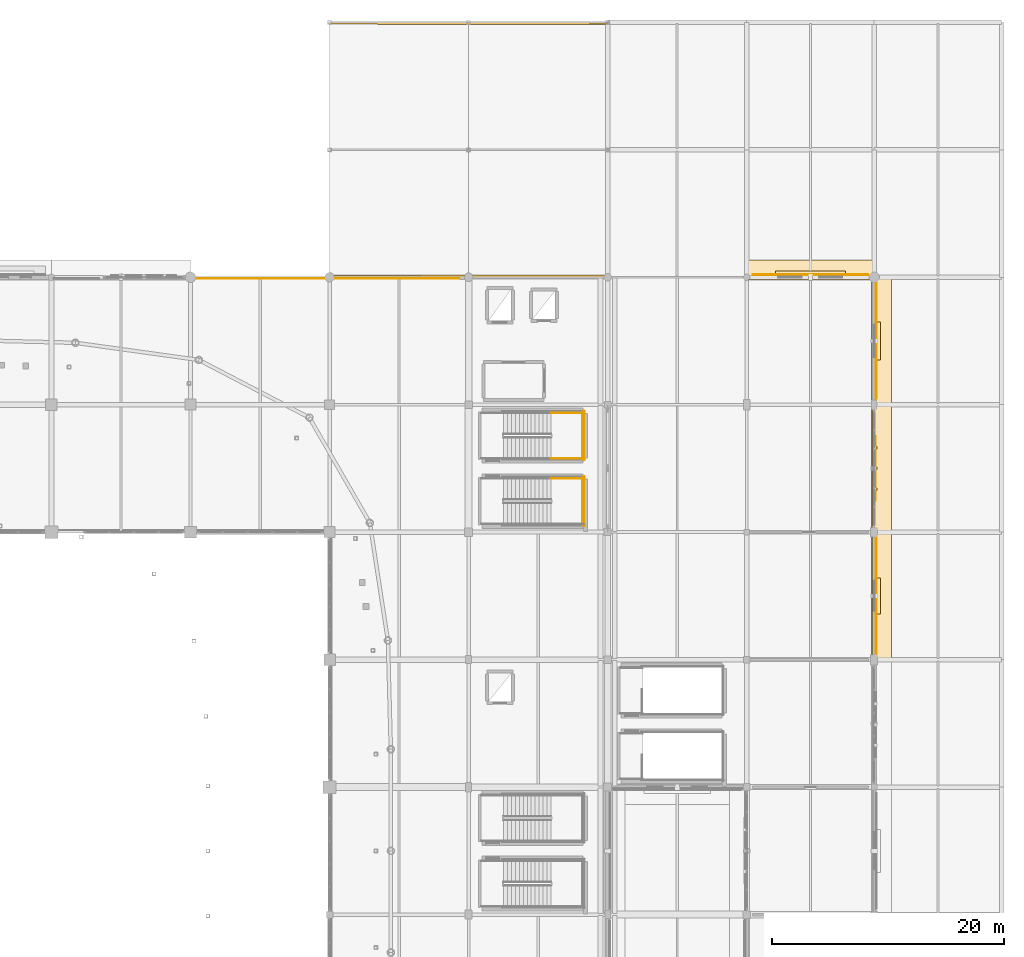
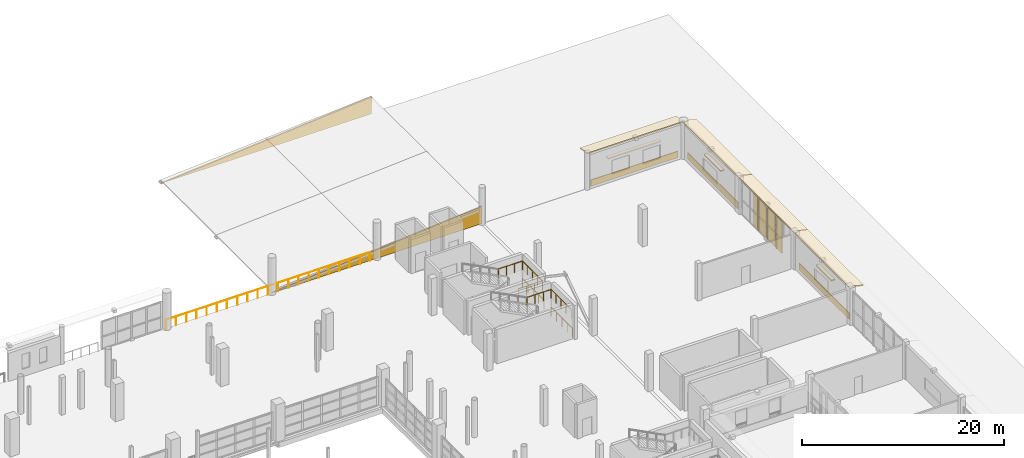
# One storey, part 118 of 118: 15 coverings, 8 railings, 1 shading device.
"""IFC4 building model written with IfcOpenShell, lengths in metres."""

from ifc_helpers import new_model, si_unit, direction, frame, origin, origin_2d, place, context, subcontext, project, spatial, polyline, rectangle, circle, outline, extrude, material, layer, layer_set, type_object, element, save


model = new_model("IFC4")

# Units and contexts
model_context = context("Model", 3, precision=1e-05, world=origin(), true_north=direction((0.0, 1.0)))
body_context = subcontext(model_context, "Body", "Model", "MODEL_VIEW")
ifc_project = project(units=[si_unit("LENGTHUNIT", "METRE"), si_unit("AREAUNIT", "SQUARE_METRE"), si_unit("VOLUMEUNIT", "CUBIC_METRE"), si_unit("PLANEANGLEUNIT", "RADIAN"), si_unit("MASSUNIT", "GRAM", prefix="KILO")], contexts=[model_context])

# Site, building, storey
site_placement = place(None, origin())
site = spatial("IfcSite", under=ifc_project, at=site_placement, CompositionType="ELEMENT")
building_placement = place(site_placement, origin())
building = spatial("IfcBuilding", under=site, at=building_placement, Name="Luwafu Chhajja Arena", CompositionType="ELEMENT")
storey_placement = place(building_placement, frame((0.0, 0.0, 10.199951171875)))
storey = spatial("IfcBuildingStorey", under=building, at=storey_placement, Name="L02", CompositionType="ELEMENT", Elevation=10.199951171875)

# Coverings
ifc_material_1 = material(Name="Red laterite sandstone cladding", Category="masonry")
ifc_layer_1 = layer(ifc_material_1, 0.074951171875, Name="Red laterite sandstone cladding")
ifc_layer_set_1 = layer_set([ifc_layer_1], Name="Red laterite sandstone cladding")
covering_type = type_object("IfcCoveringType", Name="Dressed Red-Laterite Sandstone Cladding", PredefinedType="CLADDING", material=ifc_layer_set_1)
covering_1_placement = place(storey_placement, frame((140.0, 99.0, 0.0), z_axis=(0.0, -0.99980932877, 0.019527060845), x_axis=(1.0, 0.0, 0.0)))
element("IfcCovering", 1, at=covering_1_placement, inside=storey, type_object=covering_type, Name="L02 Charbagh E Cloister S Tympanum", PredefinedType="CLADDING", context=body_context, shape_type="SweptSolid", body=[
    extrude(outline(polyline([(0.0, 0.0), (24.0, 0.0), (24.0, 2.050439788002214), (0.0, 0.0)])), origin(), (0.0, 0.0, -1.0), 0.159912109375),
])
covering_2_placement = place(storey_placement, frame((140.0, 121.0, 0.0), z_axis=(0.0, 0.99980932877, 0.019527060845), x_axis=(1.0, 0.0, 0.0)))
element("IfcCovering", 2, at=covering_2_placement, inside=storey, type_object=covering_type, Name="L02 Charbagh E Cloister N Tympanum", PredefinedType="CLADDING", context=body_context, shape_type="SweptSolid", body=[
    extrude(outline(polyline([(0.0, 0.0), (24.0, 0.0), (24.0, -2.050439788002214), (0.0, 0.0)])), origin(), (0.0, 0.0, -1.0), 0.159912109375),
])
covering_3_placement = place(storey_placement, frame((186.800048828125, 66.0, 4.4599609375), z_axis=(0.242502450825, 0.0, 0.970150793096), x_axis=(0.0, 1.0, 0.0)))
element("IfcCovering", 3, at=covering_3_placement, inside=storey, type_object=covering_type, Name="L02 Continuous Sloped Sandstone Chhajja Eave 0176", PredefinedType="CLADDING", context=body_context, shape_type="SweptSolid", body=[
    extrude(outline(polyline([(0.0, 0.0), (11.0, 0.0), (11.0, -1.731619097341133), (0.0, -1.731619097341133), (0.0, 0.0)])), origin(), (0.0, 0.0, -1.0), 0.1298828125),
])
covering_4_placement = place(storey_placement, frame((187.19189453125, 71.5, 0.0), z_axis=(0.0, 0.0, 1.0), x_axis=(0.0, 1.0, 0.0)))
element("IfcCovering", 4, at=covering_4_placement, inside=storey, type_object=covering_type, Name="L02 Red-Laterite Sandstone Plinth Cladding 071", PredefinedType="CLADDING", context=body_context, shape_type="SweptSolid", body=[
    extrude(rectangle(XDim=9.9599609375, YDim=0.0849609375, at=origin_2d()), origin(), (0.0, 0.0, 1.0), 0.760009765625),
])
covering_5_placement = place(storey_placement, frame((187.320068359375, 71.5, 2.5302734375), z_axis=(0.0, 0.0, 1.0), x_axis=(0.0, 1.0, 0.0)))
element("IfcCovering", 5, at=covering_5_placement, inside=storey, type_object=covering_type, Name="L02 Mughal Sandstone Window Chhajja Hood 0067", PredefinedType="CLADDING", context=body_context, shape_type="SweptSolid", body=[
    extrude(rectangle(XDim=3.10009765625, YDim=0.419921875, at=origin_2d()), origin(), (0.0, 0.0, 1.0), 0.139892578125),
])
covering_6_placement = place(storey_placement, frame((186.800048828125, 77.0, 4.4599609375), z_axis=(0.242502450825, 0.0, 0.970150793096), x_axis=(0.0, 1.0, 0.0)))
element("IfcCovering", 6, at=covering_6_placement, inside=storey, type_object=covering_type, Name="L02 Continuous Sloped Sandstone Chhajja Eave 0177", PredefinedType="CLADDING", context=body_context, shape_type="SweptSolid", body=[
    extrude(outline(polyline([(0.0, 0.0), (11.0, 0.0), (11.0, -1.731619097341133), (0.0, -1.731619097341133), (0.0, 0.0)])), origin(), (0.0, 0.0, -1.0), 0.1298828125),
])
for number, where, z_axis, x_axis, name in (
    (7, (187.110107421875, 80.7080078125, 0.0), (0.0, 0.0, 1.0), (0.0, 1.0, 0.0), "L02 Sandstone Jali Mullion Fin 046"),
    (8, (187.110107421875, 82.5, 0.0), (0.0, 0.0, 1.0), (0.0, 1.0, 0.0), "L02 Sandstone Jali Mullion Fin 046"),
    (9, (187.110107421875, 84.2919921875, 0.0), (0.0, 0.0, 1.0), (0.0, 1.0, 0.0), "L02 Sandstone Jali Mullion Fin 046"),
):
    element("IfcCovering", number, at=place(storey_placement, frame(where, z_axis=z_axis, x_axis=x_axis)), inside=storey, type_object=covering_type, Name=name, PredefinedType="CLADDING", context=body_context, shape_type="SweptSolid", body=[
        extrude(rectangle(XDim=0.219970703125, YDim=0.239990234375, at=origin_2d()), origin(), (0.0, 0.0, 1.0), 3.89501953125),
    ])
covering_7_placement = place(storey_placement, frame((176.0, 98.800048828125, 4.4599609375), z_axis=(0.0, 0.242502450825, 0.970150793096), x_axis=(1.0, 0.0, 0.0)))
element("IfcCovering", 10, at=covering_7_placement, inside=storey, type_object=covering_type, Name="L02 Continuous Sloped Sandstone Chhajja Eave 0178", PredefinedType="CLADDING", context=body_context, shape_type="SweptSolid", body=[
    extrude(outline(polyline([(0.0, 0.0), (11.0, 0.0), (11.0, 1.731619097341133), (0.0, 1.731619097341133), (0.0, 0.0)])), origin(), (0.0, 0.0, -1.0), 0.1298828125),
])
covering_8_placement = place(storey_placement, frame((181.5, 99.2119140625, 0.0), z_axis=(0.0, 0.0, 1.0), x_axis=(1.0, 0.0, 0.0)))
element("IfcCovering", 11, at=covering_8_placement, inside=storey, type_object=covering_type, Name="L02 Red-Laterite Sandstone Plinth Cladding 072", PredefinedType="CLADDING", context=body_context, shape_type="SweptSolid", body=[
    extrude(rectangle(XDim=9.9599609375, YDim=0.0849609375, at=origin_2d()), origin(), (0.0, 0.0, 1.0), 0.760009765625),
])
covering_9_placement = place(storey_placement, frame((181.5, 99.340087890625, 2.580078125), z_axis=(0.0, 0.0, 1.0), x_axis=(1.0, 0.0, 0.0)))
element("IfcCovering", 12, at=covering_9_placement, inside=storey, type_object=covering_type, Name="L02 Mughal Sandstone Window Chhajja Hood 0068", PredefinedType="CLADDING", context=body_context, shape_type="SweptSolid", body=[
    extrude(rectangle(XDim=6.02001953125, YDim=0.419921875, at=origin_2d()), origin(), (0.0, 0.0, 1.0), 0.139892578125),
])
covering_10_placement = place(storey_placement, frame((186.800048828125, 88.0, 4.4599609375), z_axis=(0.242502450825, 0.0, 0.970150793096), x_axis=(0.0, 1.0, 0.0)))
element("IfcCovering", 13, at=covering_10_placement, inside=storey, type_object=covering_type, Name="L02 Continuous Sloped Sandstone Chhajja Eave 0179", PredefinedType="CLADDING", context=body_context, shape_type="SweptSolid", body=[
    extrude(outline(polyline([(0.0, 0.0), (11.0, 0.0), (11.0, -1.731619097341133), (0.0, -1.731619097341133), (0.0, 0.0)])), origin(), (0.0, 0.0, -1.0), 0.1298828125),
])
covering_11_placement = place(storey_placement, frame((187.19189453125, 93.5, 0.0), z_axis=(0.0, 0.0, 1.0), x_axis=(0.0, 1.0, 0.0)))
element("IfcCovering", 14, at=covering_11_placement, inside=storey, type_object=covering_type, Name="L02 Red-Laterite Sandstone Plinth Cladding 073", PredefinedType="CLADDING", context=body_context, shape_type="SweptSolid", body=[
    extrude(rectangle(XDim=9.9599609375, YDim=0.0849609375, at=origin_2d()), origin(), (0.0, 0.0, 1.0), 0.760009765625),
])
covering_12_placement = place(storey_placement, frame((187.320068359375, 93.5, 2.47998046875), z_axis=(0.0, 0.0, 1.0), x_axis=(0.0, 1.0, 0.0)))
element("IfcCovering", 15, at=covering_12_placement, inside=storey, type_object=covering_type, Name="L02 Mughal Sandstone Window Chhajja Hood 0069", PredefinedType="CLADDING", context=body_context, shape_type="SweptSolid", body=[
    extrude(rectangle(XDim=3.300048828125, YDim=0.419921875, at=origin_2d()), origin(), (0.0, 0.0, 1.0), 0.139892578125),
])

# Shading device
ifc_material_2 = material(Name="Pierced buff sandstone jali", Category="masonry")
ifc_layer_2 = layer(ifc_material_2, 0.080078125, Name="Pierced buff sandstone jali")
ifc_layer_set_2 = layer_set([ifc_layer_2], Name="Pierced buff sandstone jali")
shading_device_type = type_object("IfcShadingDeviceType", Name="Pierced Buff-Sandstone Jali Screen", PredefinedType="JALOUSIE", material=ifc_layer_set_2)
shading_device_placement = place(storey_placement, frame((187.110107421875, 82.5, 0.0), z_axis=(0.0, 0.0, 1.0), x_axis=(0.0, 1.0, 0.0)))
element("IfcShadingDevice", 16, at=shading_device_placement, inside=storey, type_object=shading_device_type, Name="L02 Pierced Buff-Sandstone Jali Screen 046", PredefinedType="JALOUSIE", context=body_context, shape_type="SweptSolid", body=[
    extrude(rectangle(XDim=5.60009765625, YDim=0.080078125, at=origin_2d()), origin(), (0.0, 0.0, 1.0), 3.89501953125),
])

# Railings
ifc_material_3 = material(Name="Stainless steel balustrade", Category="steel")
railing_type = type_object("IfcRailingType", Name="Stair and Terrace Guard Balustrade 1100", PredefinedType="BALUSTRADE", material=ifc_material_3)
railing_1_placement = place(storey_placement, frame((159.10009765625, 81.639892578125, 2.25)))
element("IfcRailing", 17, at=railing_1_placement, inside=storey, type_object=railing_type, Name="L02 ST-07 stair guard 4", PredefinedType="BALUSTRADE", context=body_context, shape_type="SweptSolid", body=[
    extrude(circle(Radius=0.02392578125, at=origin_2d()), frame((0.0, 0.0, 1.076171875), z_axis=(1.0, 0.0, 0.0), x_axis=(0.0, 1.0, 0.0)), (0.0, 0.0, 1.0), 2.7998046875),
    extrude(circle(Radius=0.02099609375, at=origin_2d()), origin(), (0.0, 0.0, 1.0), 1.052001953125),
    extrude(circle(Radius=0.02099609375, at=origin_2d()), frame((0.933349609375, 0.0, 0.0)), (0.0, 0.0, 1.0), 1.052001953125),
    extrude(circle(Radius=0.02099609375, at=origin_2d()), frame((1.866455078125, 0.0, 0.0)), (0.0, 0.0, 1.0), 1.052001953125),
    extrude(circle(Radius=0.02099609375, at=origin_2d()), frame((2.7998046875, 0.0, 0.0)), (0.0, 0.0, 1.0), 1.052001953125),
])
railing_2_placement = place(storey_placement, frame((161.85009765625, 77.64990234375, 2.25)))
element("IfcRailing", 18, at=railing_2_placement, inside=storey, type_object=railing_type, Name="L02 ST-07 stair guard 5", PredefinedType="BALUSTRADE", context=body_context, shape_type="SweptSolid", body=[
    extrude(circle(Radius=0.02392578125, at=origin_2d()), frame((0.0, 0.0, 1.076171875), z_axis=(0.0, 1.0, 0.0), x_axis=(-1.0, 0.0, 0.0)), (0.0, 0.0, 1.0), 4.0400390625),
    extrude(circle(Radius=0.02099609375, at=origin_2d()), origin(), (0.0, 0.0, 1.0), 1.052001953125),
    extrude(circle(Radius=0.02099609375, at=origin_2d()), frame((0.0, 1.010009765625, 0.0)), (0.0, 0.0, 1.0), 1.052001953125),
    extrude(circle(Radius=0.02099609375, at=origin_2d()), frame((0.0, 2.02001953125, 0.0)), (0.0, 0.0, 1.0), 1.052001953125),
    extrude(circle(Radius=0.02099609375, at=origin_2d()), frame((0.0, 3.030029296875, 0.0)), (0.0, 0.0, 1.0), 1.052001953125),
    extrude(circle(Radius=0.02099609375, at=origin_2d()), frame((0.0, 4.0400390625, 0.0)), (0.0, 0.0, 1.0), 1.052001953125),
])
railing_3_placement = place(storey_placement, frame((161.949951171875, 77.550048828125, 0.0)))
element("IfcRailing", 19, at=railing_3_placement, inside=storey, type_object=railing_type, Name="L02 ST-07 stair guard 12", PredefinedType="BALUSTRADE", context=body_context, shape_type="SweptSolid", body=[
    extrude(circle(Radius=0.02392578125, at=origin_2d()), frame((0.0, 0.0, 1.076171875), z_axis=(0.0, 1.0, 0.0), x_axis=(-1.0, 0.0, 0.0)), (0.0, 0.0, 1.0), 4.239990234375),
    extrude(circle(Radius=0.02099609375, at=origin_2d()), origin(), (0.0, 0.0, 1.0), 1.052001953125),
    extrude(circle(Radius=0.02099609375, at=origin_2d()), frame((0.0, 1.06005859375, 0.0)), (0.0, 0.0, 1.0), 1.052001953125),
    extrude(circle(Radius=0.02099609375, at=origin_2d()), frame((0.0, 2.1201171875, 0.0)), (0.0, 0.0, 1.0), 1.052001953125),
    extrude(circle(Radius=0.02099609375, at=origin_2d()), frame((0.0, 3.179931640625, 0.0)), (0.0, 0.0, 1.0), 1.052001953125),
    extrude(circle(Radius=0.02099609375, at=origin_2d()), frame((0.0, 4.239990234375, 0.0)), (0.0, 0.0, 1.0), 1.052001953125),
])
for number, where, name in (
    (20, (159.10009765625, 83.360107421875, 2.25), "L02 ST-08 stair guard 3"),
    (21, (159.10009765625, 87.300048828125, 2.25), "L02 ST-08 stair guard 4"),
):
    element("IfcRailing", number, at=place(storey_placement, frame(where)), inside=storey, type_object=railing_type, Name=name, PredefinedType="BALUSTRADE", context=body_context, shape_type="SweptSolid", body=[
        extrude(circle(Radius=0.02392578125, at=origin_2d()), frame((0.0, 0.0, 1.076171875), z_axis=(1.0, 0.0, 0.0), x_axis=(0.0, 1.0, 0.0)), (0.0, 0.0, 1.0), 2.7998046875),
        extrude(circle(Radius=0.02099609375, at=origin_2d()), origin(), (0.0, 0.0, 1.0), 1.052001953125),
        extrude(circle(Radius=0.02099609375, at=origin_2d()), frame((0.933349609375, 0.0, 0.0)), (0.0, 0.0, 1.0), 1.052001953125),
        extrude(circle(Radius=0.02099609375, at=origin_2d()), frame((1.866455078125, 0.0, 0.0)), (0.0, 0.0, 1.0), 1.052001953125),
        extrude(circle(Radius=0.02099609375, at=origin_2d()), frame((2.7998046875, 0.0, 0.0)), (0.0, 0.0, 1.0), 1.052001953125),
    ])
railing_4_placement = place(storey_placement, frame((161.85009765625, 83.31005859375, 2.25)))
element("IfcRailing", 22, at=railing_4_placement, inside=storey, type_object=railing_type, Name="L02 ST-08 stair guard 5", PredefinedType="BALUSTRADE", context=body_context, shape_type="SweptSolid", body=[
    extrude(circle(Radius=0.02392578125, at=origin_2d()), frame((0.0, 0.0, 1.076171875), z_axis=(0.0, 1.0, 0.0), x_axis=(-1.0, 0.0, 0.0)), (0.0, 0.0, 1.0), 4.0400390625),
    extrude(circle(Radius=0.02099609375, at=origin_2d()), origin(), (0.0, 0.0, 1.0), 1.052001953125),
    extrude(circle(Radius=0.02099609375, at=origin_2d()), frame((0.0, 1.010009765625, 0.0)), (0.0, 0.0, 1.0), 1.052001953125),
    extrude(circle(Radius=0.02099609375, at=origin_2d()), frame((0.0, 2.02001953125, 0.0)), (0.0, 0.0, 1.0), 1.052001953125),
    extrude(circle(Radius=0.02099609375, at=origin_2d()), frame((0.0, 3.030029296875, 0.0)), (0.0, 0.0, 1.0), 1.052001953125),
    extrude(circle(Radius=0.02099609375, at=origin_2d()), frame((0.0, 4.0400390625, 0.0)), (0.0, 0.0, 1.0), 1.052001953125),
])
railing_5_placement = place(storey_placement, frame((161.949951171875, 83.2099609375, 0.0)))
element("IfcRailing", 23, at=railing_5_placement, inside=storey, type_object=railing_type, Name="L02 ST-08 stair guard 12", PredefinedType="BALUSTRADE", context=body_context, shape_type="SweptSolid", body=[
    extrude(circle(Radius=0.02392578125, at=origin_2d()), frame((0.0, 0.0, 1.076171875), z_axis=(0.0, 1.0, 0.0), x_axis=(-1.0, 0.0, 0.0)), (0.0, 0.0, 1.0), 4.239990234375),
    extrude(circle(Radius=0.02099609375, at=origin_2d()), origin(), (0.0, 0.0, 1.0), 1.052001953125),
    extrude(circle(Radius=0.02099609375, at=origin_2d()), frame((0.0, 1.06005859375, 0.0)), (0.0, 0.0, 1.0), 1.052001953125),
    extrude(circle(Radius=0.02099609375, at=origin_2d()), frame((0.0, 2.1201171875, 0.0)), (0.0, 0.0, 1.0), 1.052001953125),
    extrude(circle(Radius=0.02099609375, at=origin_2d()), frame((0.0, 3.179931640625, 0.0)), (0.0, 0.0, 1.0), 1.052001953125),
    extrude(circle(Radius=0.02099609375, at=origin_2d()), frame((0.0, 4.239990234375, 0.0)), (0.0, 0.0, 1.0), 1.052001953125),
])
railing_6_placement = place(storey_placement, frame((127.847900390625, 98.89990234375, 0.0)))
element("IfcRailing", 24, at=railing_6_placement, inside=storey, type_object=railing_type, Name="L02 Outer Slab Edge Guard 007", PredefinedType="BALUSTRADE", context=body_context, shape_type="SweptSolid", body=[
    extrude(circle(Radius=0.02392578125, at=origin_2d()), frame((0.0, 0.0, 1.09619140625), z_axis=(1.0, 0.0, 0.0), x_axis=(0.0, 1.0, 0.0)), (0.0, 0.0, 1.0), 23.302001953125),
    extrude(circle(Radius=0.02099609375, at=origin_2d()), origin(), (0.0, 0.0, 1.0), 1.072021484375),
    extrude(circle(Radius=0.02099609375, at=origin_2d()), frame((1.1650390625, 0.0, 0.0)), (0.0, 0.0, 1.0), 1.072021484375),
    extrude(circle(Radius=0.02099609375, at=origin_2d()), frame((2.330078125, 0.0, 0.0)), (0.0, 0.0, 1.0), 1.072021484375),
    extrude(circle(Radius=0.02099609375, at=origin_2d()), frame((3.495361328125, 0.0, 0.0)), (0.0, 0.0, 1.0), 1.072021484375),
    extrude(circle(Radius=0.02099609375, at=origin_2d()), frame((4.660400390625, 0.0, 0.0)), (0.0, 0.0, 1.0), 1.072021484375),
    extrude(circle(Radius=0.02099609375, at=origin_2d()), frame((5.825439453125, 0.0, 0.0)), (0.0, 0.0, 1.0), 1.072021484375),
    extrude(circle(Radius=0.02099609375, at=origin_2d()), frame((6.99072265625, 0.0, 0.0)), (0.0, 0.0, 1.0), 1.072021484375),
    extrude(circle(Radius=0.02099609375, at=origin_2d()), frame((8.15576171875, 0.0, 0.0)), (0.0, 0.0, 1.0), 1.072021484375),
    extrude(circle(Radius=0.02099609375, at=origin_2d()), frame((9.32080078125, 0.0, 0.0)), (0.0, 0.0, 1.0), 1.072021484375),
    extrude(circle(Radius=0.02099609375, at=origin_2d()), frame((10.48583984375, 0.0, 0.0)), (0.0, 0.0, 1.0), 1.072021484375),
    extrude(circle(Radius=0.02099609375, at=origin_2d()), frame((11.65087890625, 0.0, 0.0)), (0.0, 0.0, 1.0), 1.072021484375),
    extrude(circle(Radius=0.02099609375, at=origin_2d()), frame((12.816162109375, 0.0, 0.0)), (0.0, 0.0, 1.0), 1.072021484375),
    extrude(circle(Radius=0.02099609375, at=origin_2d()), frame((13.981201171875, 0.0, 0.0)), (0.0, 0.0, 1.0), 1.072021484375),
    extrude(circle(Radius=0.02099609375, at=origin_2d()), frame((15.146240234375, 0.0, 0.0)), (0.0, 0.0, 1.0), 1.072021484375),
    extrude(circle(Radius=0.02099609375, at=origin_2d()), frame((16.3115234375, 0.0, 0.0)), (0.0, 0.0, 1.0), 1.072021484375),
    extrude(circle(Radius=0.02099609375, at=origin_2d()), frame((17.4765625, 0.0, 0.0)), (0.0, 0.0, 1.0), 1.072021484375),
    extrude(circle(Radius=0.02099609375, at=origin_2d()), frame((18.6416015625, 0.0, 0.0)), (0.0, 0.0, 1.0), 1.072021484375),
    extrude(circle(Radius=0.02099609375, at=origin_2d()), frame((19.806640625, 0.0, 0.0)), (0.0, 0.0, 1.0), 1.072021484375),
    extrude(circle(Radius=0.02099609375, at=origin_2d()), frame((20.9716796875, 0.0, 0.0)), (0.0, 0.0, 1.0), 1.072021484375),
    extrude(circle(Radius=0.02099609375, at=origin_2d()), frame((22.136962890625, 0.0, 0.0)), (0.0, 0.0, 1.0), 1.072021484375),
    extrude(circle(Radius=0.02099609375, at=origin_2d()), frame((23.302001953125, 0.0, 0.0)), (0.0, 0.0, 1.0), 1.072021484375),
])

save(model, "model.ifc")
